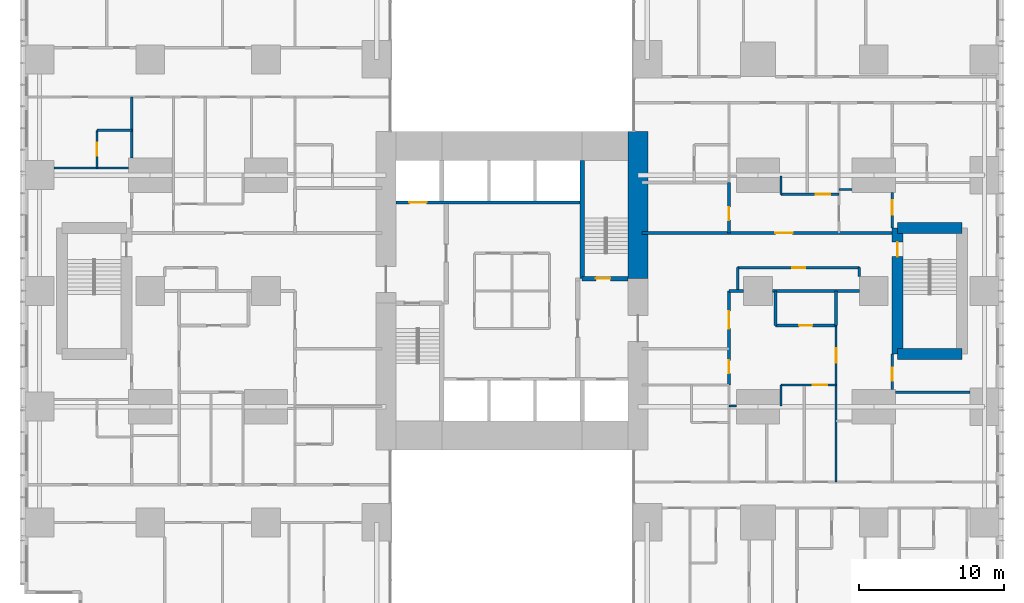
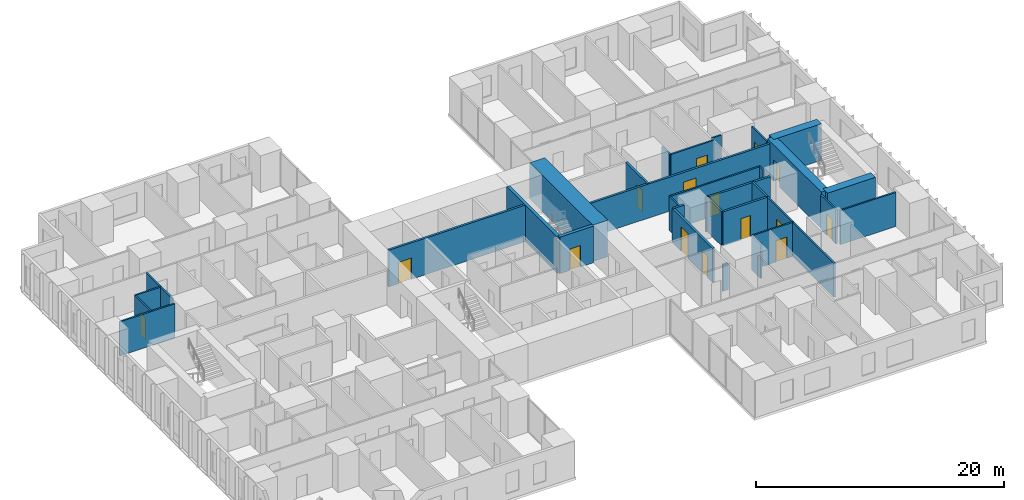
# One storey, part 16 of 20: 32 walls, 15 doors, 15 openings.
"""IFC4 building model written with IfcOpenShell, lengths in metres."""

from ifc_helpers import new_model, si_unit, direction, frame, frame_2d, origin, place, context, subcontext, project, spatial, rectangle, extrude, material, layer, layer_set, type_object, element, fill, save


model = new_model("IFC4")

# Units and contexts
model_context = context("Model", 3, precision=1e-05, world=origin(), true_north=direction((0.0, 1.0)))
body_context = subcontext(model_context, "Body", "Model", "MODEL_VIEW")
ifc_project = project(units=[si_unit("LENGTHUNIT", "METRE"), si_unit("AREAUNIT", "SQUARE_METRE"), si_unit("VOLUMEUNIT", "CUBIC_METRE"), si_unit("PLANEANGLEUNIT", "RADIAN"), si_unit("MASSUNIT", "GRAM", prefix="KILO")], contexts=[model_context])

# Site, building, storey
site_placement = place(None, origin())
site = spatial("IfcSite", under=ifc_project, at=site_placement, CompositionType="ELEMENT")
building_placement = place(site_placement, origin())
building = spatial("IfcBuilding", under=site, at=building_placement, Name="Cleftline Residences", CompositionType="ELEMENT")
storey_placement = place(building_placement, frame((0.0, 0.0, 51.199951171875)))
storey = spatial("IfcBuildingStorey", under=building, at=storey_placement, Name="L12", CompositionType="ELEMENT", Elevation=51.199951171875)

# Walls
ifc_material_1 = material(Name="Concrete B70", Category="concrete")
ifc_layer_1 = layer(ifc_material_1, 1.39990234375)
ifc_layer_set_1 = layer_set([ifc_layer_1], Name="CORE WALL 1400")
wall_type_1 = type_object("IfcWallType", Name="CORE WALL 1400", PredefinedType="SHEAR", material=ifc_layer_set_1)
wall_1_placement = place(storey_placement, frame((41.699951171875, 24.85009765625, 0.0), z_axis=(0.0, 0.0, 1.0), x_axis=(0.0, 1.0, 0.0)))
element("IfcWall", 1, at=wall_1_placement, inside=storey, type_object=wall_type_1, Name="Core wall E1", PredefinedType="SHEAR", context=body_context, shape_type="SweptSolid", body=[
    extrude(rectangle(XDim=10.14990234375, YDim=1.39990234375, at=frame_2d((5.074951171875, 0.0))), origin(), (0.0, 0.0, 1.0), 3.60009765625),
])
ifc_material_2 = material(Name="Concrete B70", Category="concrete")
ifc_layer_2 = layer(ifc_material_2, 0.300048828125)
ifc_layer_set_2 = layer_set([ifc_layer_2], Name="CORE WALL 300")
wall_type_2 = type_object("IfcWallType", Name="CORE WALL 300", PredefinedType="SHEAR", material=ifc_layer_set_2)
wall_2_placement = place(storey_placement, frame((37.85009765625, 24.85009765625, 0.0), z_axis=(0.0, 0.0, 1.0), x_axis=(0.0, 1.0, 0.0)))
element("IfcWall", 2, at=wall_2_placement, inside=storey, type_object=wall_type_2, Name="Core wall SB-W", PredefinedType="SHEAR", context=body_context, shape_type="SweptSolid", body=[
    extrude(rectangle(XDim=8.14990234375, YDim=0.300048828125, at=frame_2d((4.074951171875, 0.0))), origin(), (0.0, 0.0, 1.0), 3.60009765625),
])

# Wall, opening, door
wall_3_placement = place(storey_placement, frame((37.85009765625, 24.85009765625, 0.0), z_axis=(0.0, 0.0, 1.0), x_axis=(1.0, 0.0, 0.0)))
wall_3 = element("IfcWall", 3, at=wall_3_placement, inside=storey, type_object=wall_type_2, Name="Core wall SB-S", PredefinedType="SHEAR", context=body_context, shape_type="SweptSolid", body=[
    extrude(rectangle(XDim=3.14990234375, YDim=0.300048828125, at=frame_2d((1.574951171875, 0.0))), origin(), (0.0, 0.0, 1.0), 3.60009765625),
])
opening_1_placement = place(wall_3_placement, frame((0.949951171875, 0.0, 0.0)))
opening_1 = element("IfcOpeningElement", 4, at=opening_1_placement, cuts=wall_3, Name="Opening D5", PredefinedType="OPENING", context=body_context, shape_type="SweptSolid", body=[
    extrude(rectangle(XDim=1.0, YDim=2.10009765625, at=frame_2d((0.5, 1.050048828125))), frame((0.0, 0.159912109375, 0.0), z_axis=(0.0, -1.0, 0.0), x_axis=(1.0, 0.0, 0.0)), (0.0, 0.0, 1.0), 0.320068359375),
])
ifc_material_3 = material(Name="Steel", Category="steel")
door_type_1 = type_object("IfcDoorType", Name="STAIR DOOR 1000X2100", OperationType="SINGLE_SWING_LEFT", PredefinedType="DOOR", material=ifc_material_3)
door_1_placement = place(opening_1_placement, origin())
door_1 = element("IfcDoor", 5, at=door_1_placement, inside=storey, type_object=door_type_1, Name="Stair B door", OperationType="SINGLE_SWING_RIGHT", OverallHeight=2.10009765625, OverallWidth=1.0, PredefinedType="DOOR", context=body_context, shape_type="SweptSolid", body=[
    extrude(rectangle(XDim=1.0, YDim=2.10009765625, at=frame_2d((0.5, 1.050048828125))), frame((0.0, 0.02490234375, 0.0), z_axis=(0.0, -1.0, 0.0), x_axis=(1.0, 0.0, 0.0)), (0.0, 0.0, 1.0), 0.050048828125),
])
fill(opening_1, door_1)

ifc_material_4 = material(Name="Concrete blockwork, fire rated", Category="masonry")
ifc_layer_3 = layer(ifc_material_4, 0.199951171875)
ifc_layer_set_3 = layer_set([ifc_layer_3], Name="FIRE WALL 200")
wall_type_3 = type_object("IfcWallType", Name="FIRE WALL 200", PredefinedType="PARTITIONING", material=ifc_layer_set_3)
wall_4_placement = place(storey_placement, frame((51.199951171875, 21.60009765625, 0.0), z_axis=(0.0, 0.0, 1.0), x_axis=(1.0, 0.0, 0.0)))
wall_4 = element("IfcWall", 6, at=wall_4_placement, inside=storey, type_object=wall_type_3, Name="Fire separating wall", PredefinedType="PARTITIONING", context=body_context, shape_type="SweptSolid", body=[
    extrude(rectangle(XDim=4.199951171875, YDim=0.199951171875, at=frame_2d((2.10009765625, 0.0))), origin(), (0.0, 0.0, 1.0), 3.35009765625),
])
opening_2_placement = place(wall_4_placement, frame((1.64990234375, 0.0, 0.0)))
opening_2 = element("IfcOpeningElement", 7, at=opening_2_placement, cuts=wall_4, Name="Opening D1F30", PredefinedType="OPENING", context=body_context, shape_type="SweptSolid", body=[
    extrude(rectangle(XDim=0.89990234375, YDim=2.10009765625, at=frame_2d((0.449951171875, 1.050048828125))), frame((0.0, 0.10986328125, 0.0), z_axis=(0.0, -1.0, 0.0), x_axis=(1.0, 0.0, 0.0)), (0.0, 0.0, 1.0), 0.219970703125),
])
ifc_material_5 = material(Name="Timber veneer on solid core", Category="wood")
door_type_2 = type_object("IfcDoorType", Name="DOOR 900X2100 EI 30", OperationType="SINGLE_SWING_LEFT", PredefinedType="DOOR", material=ifc_material_5)
door_2_placement = place(opening_2_placement, origin())
door_2 = element("IfcDoor", 8, at=door_2_placement, inside=storey, type_object=door_type_2, Name="Door to cloakroom wc", OperationType="SINGLE_SWING_LEFT", OverallHeight=2.10009765625, OverallWidth=0.89990234375, PredefinedType="DOOR", context=body_context, shape_type="SweptSolid", body=[
    extrude(rectangle(XDim=0.89990234375, YDim=2.10009765625, at=frame_2d((0.449951171875, 1.050048828125))), frame((0.0, 0.02490234375, 0.0), z_axis=(0.0, -1.0, 0.0), x_axis=(1.0, 0.0, 0.0)), (0.0, 0.0, 1.0), 0.050048828125),
])
fill(opening_2, door_2)

# Walls
wall_5_placement = place(storey_placement, frame((48.0, 24.0, 0.0), z_axis=(0.0, 0.0, 1.0), x_axis=(1.0, 0.0, 0.0)))
element("IfcWall", 9, at=wall_5_placement, inside=storey, type_object=wall_type_3, Name="Fire separating wall", PredefinedType="PARTITIONING", context=body_context, shape_type="SweptSolid", body=[
    extrude(rectangle(XDim=1.0, YDim=0.199951171875, at=frame_2d((0.5, 0.0))), origin(), (0.0, 0.0, 1.0), 3.35009765625),
])
wall_6_placement = place(storey_placement, frame((51.0, 24.0, 0.0), z_axis=(0.0, 0.0, 1.0), x_axis=(1.0, 0.0, 0.0)))
element("IfcWall", 10, at=wall_6_placement, inside=storey, type_object=wall_type_3, Name="Fire separating wall", PredefinedType="PARTITIONING", context=body_context, shape_type="SweptSolid", body=[
    extrude(rectangle(XDim=6.0, YDim=0.199951171875, at=frame_2d((3.0, 0.0))), origin(), (0.0, 0.0, 1.0), 3.35009765625),
])

# Wall, opening, door
wall_7_placement = place(storey_placement, frame((42.0, 28.0, 0.0), z_axis=(0.0, 0.0, 1.0), x_axis=(1.0, 0.0, 0.0)))
wall_7 = element("IfcWall", 11, at=wall_7_placement, inside=storey, type_object=wall_type_3, Name="Fire separating wall", PredefinedType="PARTITIONING", context=body_context, shape_type="SweptSolid", body=[
    extrude(rectangle(XDim=17.27490234375, YDim=0.199951171875, at=frame_2d((8.637451171875, 0.0))), origin(), (0.0, 0.0, 1.0), 3.35009765625),
])
opening_3_placement = place(wall_7_placement, frame((9.199951171875, 0.0, 0.0)))
opening_3 = element("IfcOpeningElement", 12, at=opening_3_placement, cuts=wall_7, Name="Opening D4", PredefinedType="OPENING", context=body_context, shape_type="SweptSolid", body=[
    extrude(rectangle(XDim=1.199951171875, YDim=2.39990234375, at=frame_2d((0.60009765625, 1.199951171875))), frame((0.0, 0.10986328125, 0.0), z_axis=(0.0, -1.0, 0.0), x_axis=(1.0, 0.0, 0.0)), (0.0, 0.0, 1.0), 0.219970703125),
])
ifc_material_6 = material(Name="Timber veneer on solid core", Category="wood")
door_type_3 = type_object("IfcDoorType", Name="APARTMENT ENTRANCE DOOR 1200X2400", OperationType="SINGLE_SWING_RIGHT", PredefinedType="DOOR", material=ifc_material_6)
door_3_placement = place(opening_3_placement, origin())
door_3 = element("IfcDoor", 13, at=door_3_placement, inside=storey, type_object=door_type_3, Name="Door to residence entrance foyer", OperationType="SINGLE_SWING_LEFT", OverallHeight=2.39990234375, OverallWidth=1.199951171875, PredefinedType="DOOR", context=body_context, shape_type="SweptSolid", body=[
    extrude(rectangle(XDim=1.199951171875, YDim=2.39990234375, at=frame_2d((0.60009765625, 1.199951171875))), frame((0.0, 0.02490234375, 0.0), z_axis=(0.0, -1.0, 0.0), x_axis=(1.0, 0.0, 0.0)), (0.0, 0.0, 1.0), 0.050048828125),
])
fill(opening_3, door_3)

# Wall, openings, doors
wall_8_placement = place(storey_placement, frame((48.0, 17.5, 0.0), z_axis=(0.0, 0.0, 1.0), x_axis=(0.0, 1.0, 0.0)))
wall_8 = element("IfcWall", 14, at=wall_8_placement, inside=storey, type_object=wall_type_3, Name="Fire separating wall", PredefinedType="PARTITIONING", context=body_context, shape_type="SweptSolid", body=[
    extrude(rectangle(XDim=6.5, YDim=0.199951171875, at=frame_2d((3.25, 0.0))), origin(), (0.0, 0.0, 1.0), 3.35009765625),
])
opening_4_placement = place(wall_8_placement, frame((3.89990234375, 0.0, 0.0)))
opening_4 = element("IfcOpeningElement", 15, at=opening_4_placement, cuts=wall_8, Name="Opening D4", PredefinedType="OPENING", context=body_context, shape_type="SweptSolid", body=[
    extrude(rectangle(XDim=1.199951171875, YDim=2.39990234375, at=frame_2d((0.60009765625, 1.199951171875))), frame((0.0, 0.10986328125, 0.0), z_axis=(0.0, -1.0, 0.0), x_axis=(1.0, 0.0, 0.0)), (0.0, 0.0, 1.0), 0.219970703125),
])
opening_5_placement = place(wall_8_placement, frame((0.800048828125, 0.0, 0.0)))
opening_5 = element("IfcOpeningElement", 16, at=opening_5_placement, cuts=wall_8, Name="Opening D1F30", PredefinedType="OPENING", context=body_context, shape_type="SweptSolid", body=[
    extrude(rectangle(XDim=0.89990234375, YDim=2.10009765625, at=frame_2d((0.449951171875, 1.050048828125))), frame((0.0, 0.10986328125, 0.0), z_axis=(0.0, -1.0, 0.0), x_axis=(1.0, 0.0, 0.0)), (0.0, 0.0, 1.0), 0.219970703125),
])
door_4_placement = place(opening_4_placement, origin())
door_4 = element("IfcDoor", 17, at=door_4_placement, inside=storey, type_object=door_type_3, Name="Door to residence entrance foyer", OperationType="SINGLE_SWING_LEFT", OverallHeight=2.39990234375, OverallWidth=1.199951171875, PredefinedType="DOOR", context=body_context, shape_type="SweptSolid", body=[
    extrude(rectangle(XDim=1.199951171875, YDim=2.39990234375, at=frame_2d((0.60009765625, 1.199951171875))), frame((0.0, 0.02490234375, 0.0), z_axis=(0.0, -1.0, 0.0), x_axis=(1.0, 0.0, 0.0)), (0.0, 0.0, 1.0), 0.050048828125),
])
fill(opening_4, door_4)
door_5_placement = place(opening_5_placement, origin())
door_5 = element("IfcDoor", 18, at=door_5_placement, inside=storey, type_object=door_type_2, Name="Door to laundry", OperationType="SINGLE_SWING_RIGHT", OverallHeight=2.10009765625, OverallWidth=0.89990234375, PredefinedType="DOOR", context=body_context, shape_type="SweptSolid", body=[
    extrude(rectangle(XDim=0.89990234375, YDim=2.10009765625, at=frame_2d((0.449951171875, 1.050048828125))), frame((0.0, 0.02490234375, 0.0), z_axis=(0.0, -1.0, 0.0), x_axis=(1.0, 0.0, 0.0)), (0.0, 0.0, 1.0), 0.050048828125),
])
fill(opening_5, door_5)

# Wall, opening, door
wall_9_placement = place(storey_placement, frame((48.0, 28.0, 0.0), z_axis=(0.0, 0.0, 1.0), x_axis=(0.0, 1.0, 0.0)))
wall_9 = element("IfcWall", 19, at=wall_9_placement, inside=storey, type_object=wall_type_3, Name="Fire separating wall", PredefinedType="PARTITIONING", context=body_context, shape_type="SweptSolid", body=[
    extrude(rectangle(XDim=3.5, YDim=0.199951171875, at=frame_2d((1.75, 0.0))), origin(), (0.0, 0.0, 1.0), 3.35009765625),
])
opening_6_placement = place(wall_9_placement, frame((0.887451171875, 0.0, 0.0)))
opening_6 = element("IfcOpeningElement", 20, at=opening_6_placement, cuts=wall_9, Name="Opening D1F30", PredefinedType="OPENING", context=body_context, shape_type="SweptSolid", body=[
    extrude(rectangle(XDim=0.89990234375, YDim=2.10009765625, at=frame_2d((0.449951171875, 1.050048828125))), frame((0.0, 0.10986328125, 0.0), z_axis=(0.0, -1.0, 0.0), x_axis=(1.0, 0.0, 0.0)), (0.0, 0.0, 1.0), 0.219970703125),
])
door_6_placement = place(opening_6_placement, origin())
door_6 = element("IfcDoor", 21, at=door_6_placement, inside=storey, type_object=door_type_2, Name="Door to laundry and wc", OperationType="SINGLE_SWING_RIGHT", OverallHeight=2.10009765625, OverallWidth=0.89990234375, PredefinedType="DOOR", context=body_context, shape_type="SweptSolid", body=[
    extrude(rectangle(XDim=0.89990234375, YDim=2.10009765625, at=frame_2d((0.449951171875, 1.050048828125))), frame((0.0, 0.02490234375, 0.0), z_axis=(0.0, -1.0, 0.0), x_axis=(1.0, 0.0, 0.0)), (0.0, 0.0, 1.0), 0.050048828125),
])
fill(opening_6, door_6)

# Walls
for number, where, z_axis, x_axis, name in (
    (22, (51.199951171875, 21.60009765625, 0.0), (0.0, 0.0, 1.0), (0.0, 1.0, 0.0), "Fire separating wall"),
    (23, (55.39990234375, 21.60009765625, 0.0), (0.0, 0.0, 1.0), (0.0, 1.0, 0.0), "Fire separating wall"),
):
    element("IfcWall", number, at=place(storey_placement, frame(where, z_axis=z_axis, x_axis=x_axis)), inside=storey, type_object=wall_type_3, Name=name, PredefinedType="PARTITIONING", context=body_context, shape_type="SweptSolid", body=[
        extrude(rectangle(XDim=2.39990234375, YDim=0.199951171875, at=frame_2d((1.199951171875, 0.0))), origin(), (0.0, 0.0, 1.0), 3.35009765625),
    ])
ifc_material_7 = material(Name="Gypsum board on steel studs", Category="steel")
ifc_layer_4 = layer(ifc_material_7, 0.14990234375)
ifc_layer_set_4 = layer_set([ifc_layer_4], Name="PARTITION 150")
wall_type_4 = type_object("IfcWallType", Name="PARTITION 150", PredefinedType="PARTITIONING", material=ifc_layer_set_4)
wall_10_placement = place(storey_placement, frame((48.0, 16.050048828125, 0.0), z_axis=(0.0, 0.0, 1.0), x_axis=(1.0, 0.0, 0.0)))
element("IfcWall", 24, at=wall_10_placement, inside=storey, type_object=wall_type_4, Name="Partition", PredefinedType="PARTITIONING", context=body_context, shape_type="SweptSolid", body=[
    extrude(rectangle(XDim=0.5, YDim=0.14990234375, at=frame_2d((0.25, 0.0))), origin(), (0.0, 0.0, 1.0), 2.634033203125),
])
wall_11_placement = place(storey_placement, frame((59.5, 17.0, 0.0), z_axis=(0.0, 0.0, 1.0), x_axis=(1.0, 0.0, 0.0)))
element("IfcWall", 25, at=wall_11_placement, inside=storey, type_object=wall_type_4, Name="Partition", PredefinedType="PARTITIONING", context=body_context, shape_type="SweptSolid", body=[
    extrude(rectangle(XDim=5.14990234375, YDim=0.14990234375, at=frame_2d((2.574951171875, 0.0))), origin(), (0.0, 0.0, 1.0), 3.35009765625),
])

# Wall, opening, door
wall_12_placement = place(storey_placement, frame((51.60009765625, 17.5, 0.0), z_axis=(0.0, 0.0, 1.0), x_axis=(1.0, 0.0, 0.0)))
wall_12 = element("IfcWall", 26, at=wall_12_placement, inside=storey, type_object=wall_type_4, Name="Partition", PredefinedType="PARTITIONING", context=body_context, shape_type="SweptSolid", body=[
    extrude(rectangle(XDim=3.7998046875, YDim=0.14990234375, at=frame_2d((1.89990234375, 0.0))), origin(), (0.0, 0.0, 1.0), 3.35009765625),
])
opening_7_placement = place(wall_12_placement, frame((2.199951171875, 0.0, 0.0)))
opening_7 = element("IfcOpeningElement", 27, at=opening_7_placement, cuts=wall_12, Name="Opening D2", PredefinedType="OPENING", context=body_context, shape_type="SweptSolid", body=[
    extrude(rectangle(XDim=1.0, YDim=2.10009765625, at=frame_2d((0.5, 1.050048828125))), frame((0.0, 0.0849609375, 0.0), z_axis=(0.0, -1.0, 0.0), x_axis=(1.0, 0.0, 0.0)), (0.0, 0.0, 1.0), 0.169921875),
])
ifc_material_8 = material(Name="Timber veneer on solid core", Category="wood")
door_type_4 = type_object("IfcDoorType", Name="DOOR 1000X2100", OperationType="SINGLE_SWING_LEFT", PredefinedType="DOOR", material=ifc_material_8)
door_7_placement = place(opening_7_placement, origin())
door_7 = element("IfcDoor", 28, at=door_7_placement, inside=storey, type_object=door_type_4, Name="Door to residence passage", OperationType="SINGLE_SWING_LEFT", OverallHeight=2.10009765625, OverallWidth=1.0, PredefinedType="DOOR", context=body_context, shape_type="SweptSolid", body=[
    extrude(rectangle(XDim=1.0, YDim=2.10009765625, at=frame_2d((0.5, 1.050048828125))), frame((0.0, 0.02490234375, 0.0), z_axis=(0.0, -1.0, 0.0), x_axis=(1.0, 0.0, 0.0)), (0.0, 0.0, 1.0), 0.050048828125),
])
fill(opening_7, door_7)

wall_13_placement = place(storey_placement, frame((48.60009765625, 25.60009765625, 0.0), z_axis=(0.0, 0.0, 1.0), x_axis=(1.0, 0.0, 0.0)))
wall_13 = element("IfcWall", 29, at=wall_13_placement, inside=storey, type_object=wall_type_4, Name="Partition", PredefinedType="PARTITIONING", context=body_context, shape_type="SweptSolid", body=[
    extrude(rectangle(XDim=8.39990234375, YDim=0.14990234375, at=frame_2d((4.199951171875, 0.0))), origin(), (0.0, 0.0, 1.0), 3.35009765625),
])
opening_8_placement = place(wall_13_placement, frame((3.75, 0.0, 0.0)))
opening_8 = element("IfcOpeningElement", 30, at=opening_8_placement, cuts=wall_13, Name="Opening D1", PredefinedType="OPENING", context=body_context, shape_type="SweptSolid", body=[
    extrude(rectangle(XDim=0.89990234375, YDim=2.10009765625, at=frame_2d((0.449951171875, 1.050048828125))), frame((0.0, 0.0849609375, 0.0), z_axis=(0.0, -1.0, 0.0), x_axis=(1.0, 0.0, 0.0)), (0.0, 0.0, 1.0), 0.169921875),
])
ifc_material_9 = material(Name="Timber veneer on solid core", Category="wood")
door_type_5 = type_object("IfcDoorType", Name="DOOR 900X2100", OperationType="SINGLE_SWING_LEFT", PredefinedType="DOOR", material=ifc_material_9)
door_8_placement = place(opening_8_placement, origin())
door_8 = element("IfcDoor", 31, at=door_8_placement, inside=storey, type_object=door_type_5, Name="Door to residents' locker room", OperationType="SINGLE_SWING_LEFT", OverallHeight=2.10009765625, OverallWidth=0.89990234375, PredefinedType="DOOR", context=body_context, shape_type="SweptSolid", body=[
    extrude(rectangle(XDim=0.89990234375, YDim=2.10009765625, at=frame_2d((0.449951171875, 1.050048828125))), frame((0.0, 0.02490234375, 0.0), z_axis=(0.0, -1.0, 0.0), x_axis=(1.0, 0.0, 0.0)), (0.0, 0.0, 1.0), 0.050048828125),
])
fill(opening_8, door_8)

wall_14_placement = place(storey_placement, frame((51.60009765625, 30.675048828125, 0.0), z_axis=(0.0, 0.0, 1.0), x_axis=(1.0, 0.0, 0.0)))
wall_14 = element("IfcWall", 32, at=wall_14_placement, inside=storey, type_object=wall_type_4, Name="Partition", PredefinedType="PARTITIONING", context=body_context, shape_type="SweptSolid", body=[
    extrude(rectangle(XDim=4.0, YDim=0.14990234375, at=frame_2d((2.0, 0.0))), origin(), (0.0, 0.0, 1.0), 3.35009765625),
])
opening_9_placement = place(wall_14_placement, frame((2.39990234375, 0.0, 0.0)))
opening_9 = element("IfcOpeningElement", 33, at=opening_9_placement, cuts=wall_14, Name="Opening D2", PredefinedType="OPENING", context=body_context, shape_type="SweptSolid", body=[
    extrude(rectangle(XDim=1.0, YDim=2.10009765625, at=frame_2d((0.5, 1.050048828125))), frame((0.0, 0.0849609375, 0.0), z_axis=(0.0, -1.0, 0.0), x_axis=(1.0, 0.0, 0.0)), (0.0, 0.0, 1.0), 0.169921875),
])
door_9_placement = place(opening_9_placement, origin())
door_9 = element("IfcDoor", 34, at=door_9_placement, inside=storey, type_object=door_type_4, Name="Door to residence passage", OperationType="SINGLE_SWING_LEFT", OverallHeight=2.10009765625, OverallWidth=1.0, PredefinedType="DOOR", context=body_context, shape_type="SweptSolid", body=[
    extrude(rectangle(XDim=1.0, YDim=2.10009765625, at=frame_2d((0.5, 1.050048828125))), frame((0.0, 0.02490234375, 0.0), z_axis=(0.0, -1.0, 0.0), x_axis=(1.0, 0.0, 0.0)), (0.0, 0.0, 1.0), 0.050048828125),
])
fill(opening_9, door_9)

# Walls
wall_15_placement = place(storey_placement, frame((55.60009765625, 31.0, 0.0), z_axis=(0.0, 0.0, 1.0), x_axis=(1.0, 0.0, 0.0)))
element("IfcWall", 35, at=wall_15_placement, inside=storey, type_object=wall_type_4, Name="Partition", PredefinedType="PARTITIONING", context=body_context, shape_type="SweptSolid", body=[
    extrude(rectangle(XDim=0.89990234375, YDim=0.14990234375, at=frame_2d((0.449951171875, 0.0))), origin(), (0.0, 0.0, 1.0), 3.35009765625),
])
wall_16_placement = place(storey_placement, frame((1.35009765625, 32.5, 0.0), z_axis=(0.0, 0.0, 1.0), x_axis=(1.0, 0.0, 0.0)))
element("IfcWall", 36, at=wall_16_placement, inside=storey, type_object=wall_type_4, Name="Partition", PredefinedType="PARTITIONING", context=body_context, shape_type="SweptSolid", body=[
    extrude(rectangle(XDim=5.14990234375, YDim=0.14990234375, at=frame_2d((2.574951171875, 0.0))), origin(), (0.0, 0.0, 1.0), 3.35009765625),
])
wall_17_placement = place(storey_placement, frame((4.324951171875, 35.10009765625, 0.0), z_axis=(0.0, 0.0, 1.0), x_axis=(1.0, 0.0, 0.0)))
element("IfcWall", 37, at=wall_17_placement, inside=storey, type_object=wall_type_4, Name="Partition", PredefinedType="PARTITIONING", context=body_context, shape_type="SweptSolid", body=[
    extrude(rectangle(XDim=2.400146484375, YDim=0.14990234375, at=frame_2d((1.2001953125, 0.0))), origin(), (0.0, 0.0, 1.0), 3.35009765625),
])

# Wall, opening, door
wall_18_placement = place(storey_placement, frame((4.324951171875, 32.5, 0.0), z_axis=(0.0, 0.0, 1.0), x_axis=(0.0, 1.0, 0.0)))
wall_18 = element("IfcWall", 38, at=wall_18_placement, inside=storey, type_object=wall_type_4, Name="Partition", PredefinedType="PARTITIONING", context=body_context, shape_type="SweptSolid", body=[
    extrude(rectangle(XDim=2.60009765625, YDim=0.14990234375, at=frame_2d((1.300048828125, 0.0))), origin(), (0.0, 0.0, 1.0), 3.35009765625),
])
opening_10_placement = place(wall_18_placement, frame((0.85009765625, 0.0, 0.0)))
opening_10 = element("IfcOpeningElement", 39, at=opening_10_placement, cuts=wall_18, Name="Opening D1", PredefinedType="OPENING", context=body_context, shape_type="SweptSolid", body=[
    extrude(rectangle(XDim=0.89990234375, YDim=2.10009765625, at=frame_2d((0.449951171875, 1.050048828125))), frame((0.0, 0.0849609375, 0.0), z_axis=(0.0, -1.0, 0.0), x_axis=(1.0, 0.0, 0.0)), (0.0, 0.0, 1.0), 0.169921875),
])
door_10_placement = place(opening_10_placement, origin())
door_10 = element("IfcDoor", 40, at=door_10_placement, inside=storey, type_object=door_type_5, Name="Door to en-suite bathroom 2", OperationType="SINGLE_SWING_LEFT", OverallHeight=2.10009765625, OverallWidth=0.89990234375, PredefinedType="DOOR", context=body_context, shape_type="SweptSolid", body=[
    extrude(rectangle(XDim=0.89990234375, YDim=2.10009765625, at=frame_2d((0.449951171875, 1.050048828125))), frame((0.0, 0.02490234375, 0.0), z_axis=(0.0, -1.0, 0.0), x_axis=(1.0, 0.0, 0.0)), (0.0, 0.0, 1.0), 0.050048828125),
])
fill(opening_10, door_10)

# Walls
wall_19_placement = place(storey_placement, frame((6.72509765625, 33.199951171875, 0.0), z_axis=(0.0, 0.0, 1.0), x_axis=(0.0, 1.0, 0.0)))
element("IfcWall", 41, at=wall_19_placement, inside=storey, type_object=wall_type_4, Name="Partition", PredefinedType="PARTITIONING", context=body_context, shape_type="SweptSolid", body=[
    extrude(rectangle(XDim=4.199951171875, YDim=0.14990234375, at=frame_2d((2.10009765625, 0.0))), origin(), (0.0, 0.0, 1.0), 3.35009765625),
])
wall_20_placement = place(storey_placement, frame((48.60009765625, 24.0, 0.0), z_axis=(0.0, 0.0, 1.0), x_axis=(0.0, 1.0, 0.0)))
element("IfcWall", 42, at=wall_20_placement, inside=storey, type_object=wall_type_4, Name="Partition", PredefinedType="PARTITIONING", context=body_context, shape_type="SweptSolid", body=[
    extrude(rectangle(XDim=1.60009765625, YDim=0.14990234375, at=frame_2d((0.800048828125, 0.0))), origin(), (0.0, 0.0, 1.0), 3.35009765625),
])
wall_21_placement = place(storey_placement, frame((51.60009765625, 16.050048828125, 0.0), z_axis=(0.0, 0.0, 1.0), x_axis=(0.0, 1.0, 0.0)))
element("IfcWall", 43, at=wall_21_placement, inside=storey, type_object=wall_type_4, Name="Partition", PredefinedType="PARTITIONING", context=body_context, shape_type="SweptSolid", body=[
    extrude(rectangle(XDim=1.449951171875, YDim=0.14990234375, at=frame_2d((0.72509765625, 0.0))), origin(), (0.0, 0.0, 1.0), 3.35009765625),
])
wall_22_placement = place(storey_placement, frame((51.60009765625, 30.675048828125, 0.0), z_axis=(0.0, 0.0, 1.0), x_axis=(0.0, 1.0, 0.0)))
element("IfcWall", 44, at=wall_22_placement, inside=storey, type_object=wall_type_4, Name="Partition", PredefinedType="PARTITIONING", context=body_context, shape_type="SweptSolid", body=[
    extrude(rectangle(XDim=1.27490234375, YDim=0.14990234375, at=frame_2d((0.637451171875, 0.0))), origin(), (0.0, 0.0, 1.0), 3.35009765625),
])

# Wall, opening, door
wall_23_placement = place(storey_placement, frame((55.39990234375, 10.800048828125, 0.0), z_axis=(0.0, 0.0, 1.0), x_axis=(0.0, 1.0, 0.0)))
wall_23 = element("IfcWall", 45, at=wall_23_placement, inside=storey, type_object=wall_type_4, Name="Partition", PredefinedType="PARTITIONING", context=body_context, shape_type="SweptSolid", body=[
    extrude(rectangle(XDim=10.800048828125, YDim=0.14990234375, at=frame_2d((5.39990234375, 0.0))), origin(), (0.0, 0.0, 1.0), 3.35009765625),
])
opening_11_placement = place(wall_23_placement, frame((8.25, 0.0, 0.0)))
opening_11 = element("IfcOpeningElement", 46, at=opening_11_placement, cuts=wall_23, Name="Opening D2F30", PredefinedType="OPENING", context=body_context, shape_type="SweptSolid", body=[
    extrude(rectangle(XDim=1.0, YDim=2.10009765625, at=frame_2d((0.5, 1.050048828125))), frame((0.0, 0.0849609375, 0.0), z_axis=(0.0, -1.0, 0.0), x_axis=(1.0, 0.0, 0.0)), (0.0, 0.0, 1.0), 0.169921875),
])
ifc_material_10 = material(Name="Timber veneer on solid core", Category="wood")
door_type_6 = type_object("IfcDoorType", Name="DOOR 1000X2100 EI 30", OperationType="SINGLE_SWING_LEFT", PredefinedType="DOOR", material=ifc_material_10)
door_11_placement = place(opening_11_placement, origin())
door_11 = element("IfcDoor", 47, at=door_11_placement, inside=storey, type_object=door_type_6, Name="Door to residence lobby (service)", OperationType="SINGLE_SWING_LEFT", OverallHeight=2.10009765625, OverallWidth=1.0, PredefinedType="DOOR", context=body_context, shape_type="SweptSolid", body=[
    extrude(rectangle(XDim=1.0, YDim=2.10009765625, at=frame_2d((0.5, 1.050048828125))), frame((0.0, 0.02490234375, 0.0), z_axis=(0.0, -1.0, 0.0), x_axis=(1.0, 0.0, 0.0)), (0.0, 0.0, 1.0), 0.050048828125),
])
fill(opening_11, door_11)

# Wall
wall_24_placement = place(storey_placement, frame((57.0, 25.0, 0.0), z_axis=(0.0, 0.0, 1.0), x_axis=(0.0, 1.0, 0.0)))
element("IfcWall", 48, at=wall_24_placement, inside=storey, type_object=wall_type_4, Name="Partition", PredefinedType="PARTITIONING", context=body_context, shape_type="SweptSolid", body=[
    extrude(rectangle(XDim=0.60009765625, YDim=0.14990234375, at=frame_2d((0.300048828125, 0.0))), origin(), (0.0, 0.0, 1.0), 3.35009765625),
])

# Wall, opening, door
wall_25_placement = place(storey_placement, frame((59.27490234375, 17.199951171875, 0.0), z_axis=(0.0, 0.0, 1.0), x_axis=(0.0, 1.0, 0.0)))
wall_25 = element("IfcWall", 49, at=wall_25_placement, inside=storey, type_object=wall_type_4, Name="Partition", PredefinedType="PARTITIONING", context=body_context, shape_type="SweptSolid", body=[
    extrude(rectangle(XDim=2.449951171875, YDim=0.14990234375, at=frame_2d((1.22509765625, 0.0))), origin(), (0.0, 0.0, 1.0), 3.35009765625),
])
opening_12_placement = place(wall_25_placement, frame((0.58740234375, 0.0, 0.0)))
opening_12 = element("IfcOpeningElement", 50, at=opening_12_placement, cuts=wall_25, Name="Opening D1", PredefinedType="OPENING", context=body_context, shape_type="SweptSolid", body=[
    extrude(rectangle(XDim=0.89990234375, YDim=2.10009765625, at=frame_2d((0.449951171875, 1.050048828125))), frame((0.0, 0.0849609375, 0.0), z_axis=(0.0, -1.0, 0.0), x_axis=(1.0, 0.0, 0.0)), (0.0, 0.0, 1.0), 0.169921875),
])
door_12_placement = place(opening_12_placement, origin())
door_12 = element("IfcDoor", 51, at=door_12_placement, inside=storey, type_object=door_type_5, Name="Door to drying loggia", OperationType="SINGLE_SWING_RIGHT", OverallHeight=2.10009765625, OverallWidth=0.89990234375, PredefinedType="DOOR", context=body_context, shape_type="SweptSolid", body=[
    extrude(rectangle(XDim=0.89990234375, YDim=2.10009765625, at=frame_2d((0.449951171875, 1.050048828125))), frame((0.0, 0.02490234375, 0.0), z_axis=(0.0, -1.0, 0.0), x_axis=(1.0, 0.0, 0.0)), (0.0, 0.0, 1.0), 0.050048828125),
])
fill(opening_12, door_12)

wall_26_placement = place(storey_placement, frame((59.27490234375, 28.35009765625, 0.0), z_axis=(0.0, 0.0, 1.0), x_axis=(0.0, 1.0, 0.0)))
wall_26 = element("IfcWall", 52, at=wall_26_placement, inside=storey, type_object=wall_type_4, Name="Partition", PredefinedType="PARTITIONING", context=body_context, shape_type="SweptSolid", body=[
    extrude(rectangle(XDim=2.449951171875, YDim=0.14990234375, at=frame_2d((1.22509765625, 0.0))), origin(), (0.0, 0.0, 1.0), 3.35009765625),
])
opening_13_placement = place(wall_26_placement, frame((0.91259765625, 0.0, 0.0)))
opening_13 = element("IfcOpeningElement", 53, at=opening_13_placement, cuts=wall_26, Name="Opening D2", PredefinedType="OPENING", context=body_context, shape_type="SweptSolid", body=[
    extrude(rectangle(XDim=1.0, YDim=2.10009765625, at=frame_2d((0.5, 1.050048828125))), frame((0.0, 0.0849609375, 0.0), z_axis=(0.0, -1.0, 0.0), x_axis=(1.0, 0.0, 0.0)), (0.0, 0.0, 1.0), 0.169921875),
])
door_13_placement = place(opening_13_placement, origin())
door_13 = element("IfcDoor", 54, at=door_13_placement, inside=storey, type_object=door_type_4, Name="Door to winter garden", OperationType="SINGLE_SWING_LEFT", OverallHeight=2.10009765625, OverallWidth=1.0, PredefinedType="DOOR", context=body_context, shape_type="SweptSolid", body=[
    extrude(rectangle(XDim=1.0, YDim=2.10009765625, at=frame_2d((0.5, 1.050048828125))), frame((0.0, 0.02490234375, 0.0), z_axis=(0.0, -1.0, 0.0), x_axis=(1.0, 0.0, 0.0)), (0.0, 0.0, 1.0), 0.050048828125),
])
fill(opening_13, door_13)

ifc_material_11 = material(Name="Concrete blockwork, fire rated", Category="masonry")
ifc_layer_5 = layer(ifc_material_11, 0.199951171875)
ifc_layer_set_5 = layer_set([ifc_layer_5], Name="SHAFT WALL 200")
wall_type_5 = type_object("IfcWallType", Name="SHAFT WALL 200", PredefinedType="PARTITIONING", material=ifc_layer_set_5)
wall_27_placement = place(storey_placement, frame((25.0, 30.10009765625, 0.0), z_axis=(0.0, 0.0, 1.0), x_axis=(1.0, 0.0, 0.0)))
wall_27 = element("IfcWall", 55, at=wall_27_placement, inside=storey, type_object=wall_type_5, Name="Lift shaft wall", PredefinedType="PARTITIONING", context=body_context, shape_type="SweptSolid", body=[
    extrude(rectangle(XDim=12.699951171875, YDim=0.199951171875, at=frame_2d((6.35009765625, 0.0))), origin(), (0.0, 0.0, 1.0), 3.60009765625),
])
opening_14_placement = place(wall_27_placement, frame((0.89990234375, 0.0, 0.0)))
opening_14 = element("IfcOpeningElement", 56, at=opening_14_placement, cuts=wall_27, Name="Opening LD2", PredefinedType="OPENING", context=body_context, shape_type="SweptSolid", body=[
    extrude(rectangle(XDim=1.199951171875, YDim=2.10009765625, at=frame_2d((0.60009765625, 1.050048828125))), frame((0.0, 0.10986328125, 0.0), z_axis=(0.0, -1.0, 0.0), x_axis=(1.0, 0.0, 0.0)), (0.0, 0.0, 1.0), 0.219970703125),
])
ifc_material_12 = material(Name="Steel", Category="steel")
door_type_7 = type_object("IfcDoorType", Name="FIREFIGHTING LIFT LANDING DOOR 1200X2100", OperationType="SLIDING_TO_LEFT", PredefinedType="DOOR", material=ifc_material_12)
door_14_placement = place(opening_14_placement, origin())
door_14 = element("IfcDoor", 57, at=door_14_placement, inside=storey, type_object=door_type_7, Name="Lift FL1 landing door", OperationType="SLIDING_TO_LEFT", OverallHeight=2.10009765625, OverallWidth=1.199951171875, PredefinedType="DOOR", context=body_context, shape_type="SweptSolid", body=[
    extrude(rectangle(XDim=1.199951171875, YDim=2.10009765625, at=frame_2d((0.60009765625, 1.050048828125))), frame((0.0, 0.02490234375, 0.0), z_axis=(0.0, -1.0, 0.0), x_axis=(1.0, 0.0, 0.0)), (0.0, 0.0, 1.0), 0.050048828125),
])
fill(opening_14, door_14)

# Walls
ifc_material_13 = material(Name="Concrete B70", Category="concrete")
ifc_layer_6 = layer(ifc_material_13, 0.75)
ifc_layer_set_6 = layer_set([ifc_layer_6], Name="SHEAR WALL 750")
wall_type_6 = type_object("IfcWallType", Name="SHEAR WALL 750", PredefinedType="SHEAR", material=ifc_layer_set_6)
for number, where, z_axis, x_axis, name in (
    (58, (59.64990234375, 19.64990234375, 0.0), (0.0, 0.0, 1.0), (1.0, 0.0, 0.0), "Wing shear wall"),
    (59, (64.10009765625, 28.35009765625, 0.0), (0.0, 0.0, 1.0), (-1.0, 0.0, 0.0), "Wing shear wall"),
):
    element("IfcWall", number, at=place(storey_placement, frame(where, z_axis=z_axis, x_axis=x_axis)), inside=storey, type_object=wall_type_6, Name=name, PredefinedType="SHEAR", context=body_context, shape_type="SweptSolid", body=[
        extrude(rectangle(XDim=4.4501953125, YDim=0.75, at=frame_2d((2.22509765625, 0.0))), origin(), (0.0, 0.0, 1.0), 3.60009765625),
    ])

# Wall, opening, door
wall_28_placement = place(storey_placement, frame((59.64990234375, 28.35009765625, 0.0), z_axis=(0.0, 0.0, 1.0), x_axis=(0.0, -1.0, 0.0)))
wall_28 = element("IfcWall", 60, at=wall_28_placement, inside=storey, type_object=wall_type_6, Name="Wing shear wall", PredefinedType="SHEAR", context=body_context, shape_type="SweptSolid", body=[
    extrude(rectangle(XDim=8.7001953125, YDim=0.75, at=frame_2d((4.35009765625, 0.0))), origin(), (0.0, 0.0, 1.0), 3.60009765625),
])
opening_15_placement = place(wall_28_placement, frame((0.97509765625, 0.0, 0.0)))
opening_15 = element("IfcOpeningElement", 61, at=opening_15_placement, cuts=wall_28, Name="Opening D5", PredefinedType="OPENING", context=body_context, shape_type="SweptSolid", body=[
    extrude(rectangle(XDim=1.0, YDim=2.10009765625, at=frame_2d((0.5, 1.050048828125))), frame((0.0, 0.385009765625, 0.0), z_axis=(0.0, -1.0, 0.0), x_axis=(1.0, 0.0, 0.0)), (0.0, 0.0, 1.0), 0.77001953125),
])
door_15_placement = place(opening_15_placement, origin())
door_15 = element("IfcDoor", 62, at=door_15_placement, inside=storey, type_object=door_type_1, Name="Stair E door", OperationType="SINGLE_SWING_RIGHT", OverallHeight=2.10009765625, OverallWidth=1.0, PredefinedType="DOOR", context=body_context, shape_type="SweptSolid", body=[
    extrude(rectangle(XDim=1.0, YDim=2.10009765625, at=frame_2d((0.5, 1.050048828125))), frame((0.0, 0.02490234375, 0.0), z_axis=(0.0, -1.0, 0.0), x_axis=(1.0, 0.0, 0.0)), (0.0, 0.0, 1.0), 0.050048828125),
])
fill(opening_15, door_15)

save(model, "model.ifc")
